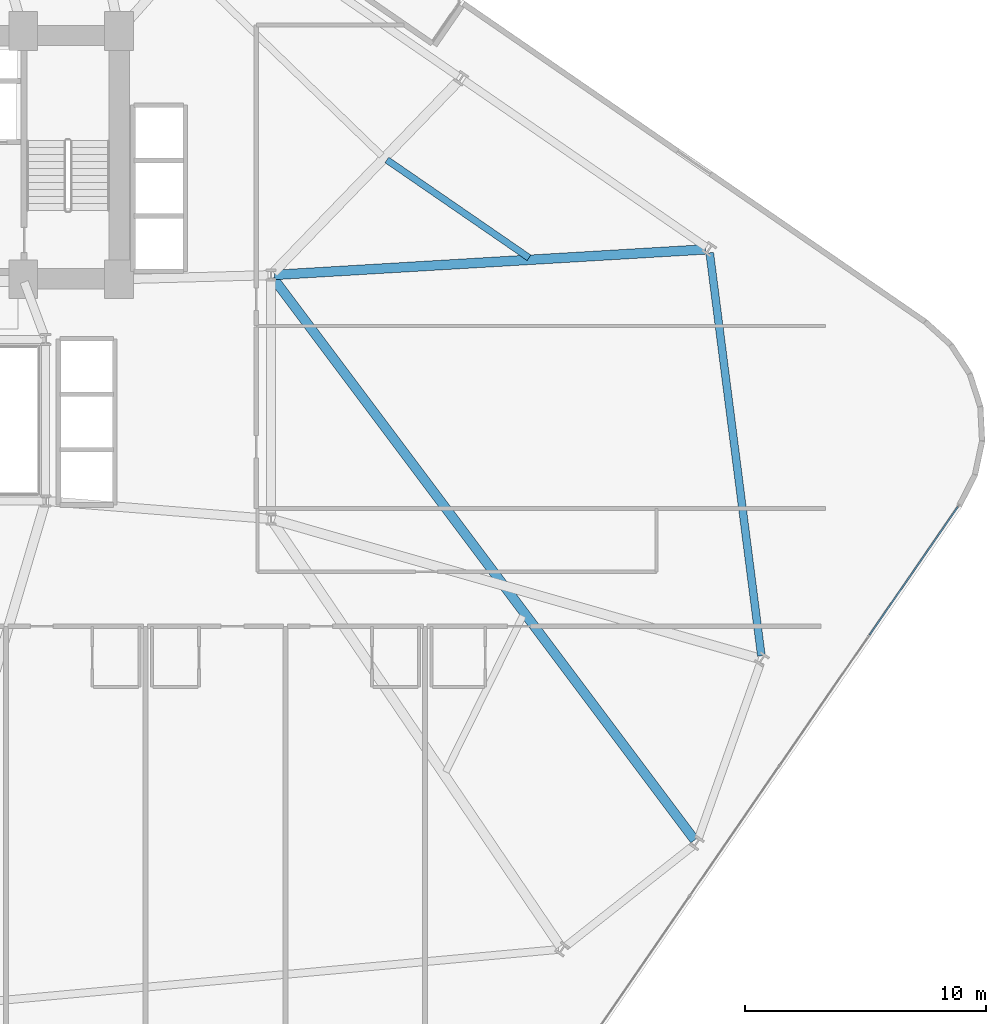
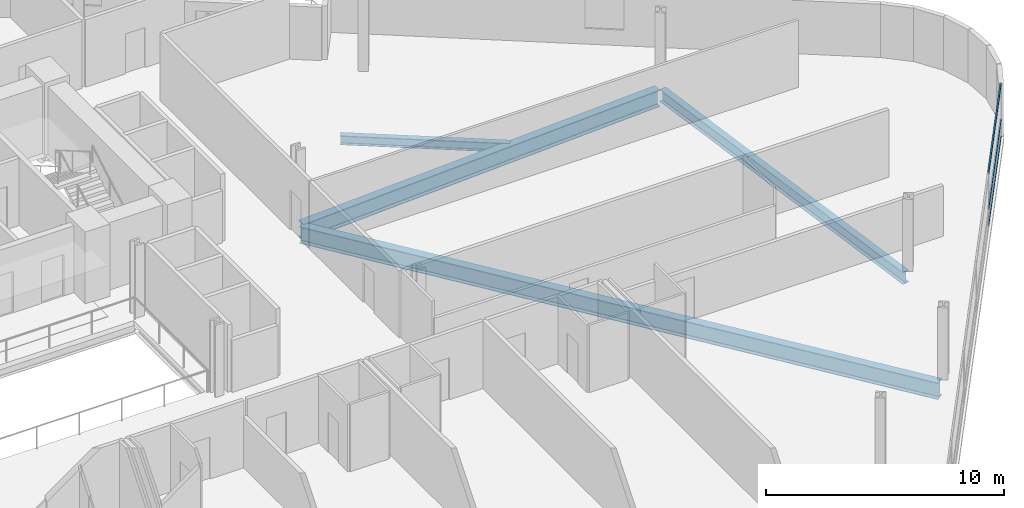
# One storey, part 12 of 27: 4 beams, 3 members, 1 element without a shape of its own.
"""IFC4 building model written with IfcOpenShell, lengths in metres."""

import ifcopenshell
import ifcopenshell.guid

model = None  # the IFC model being written
_history = None  # IfcOwnerHistory: only IFC2X3 demands one
_inside = {}  # id of a spatial element -> (the spatial element, [elements in it])
_under = {}  # id of a project, library or spatial element -> (it, [spatial elements below it])
_declared = {}  # id of a project -> (the project, [libraries it declares])
_typed = {}  # id of a type object -> (the type object, [elements of that type])
_made_of = {}  # id of a material, layer set ... -> (it, [elements and type objects made of it])


def new_model(schema):
    """Start an empty IFC model of exactly this schema.

    Asked for "IFC4X3", IfcOpenShell would pick the latest addendum, in which some entities
    have other attributes; the version numbers below select the first issue.
    IFC2X3 requires an IfcOwnerHistory on every rooted entity: one is made here for all.
    """
    global model, _history
    if schema == "IFC4X3":
        model = ifcopenshell.file(schema_version=(4, 3, 0, 0))
    else:
        model = ifcopenshell.file(schema=schema)
    _inside.clear()
    _under.clear()
    _declared.clear()
    _typed.clear()
    _made_of.clear()
    _history = None
    if model.schema == "IFC2X3":
        org = make("IfcOrganization", Name="unknown")
        user = make(
            "IfcPersonAndOrganization",
            ThePerson=make("IfcPerson", FamilyName="unknown"),
            TheOrganization=org,
        )
        app = make(
            "IfcApplication",
            ApplicationDeveloper=org,
            Version="unknown",
            ApplicationFullName="unknown",
            ApplicationIdentifier="unknown",
        )
        _history = make(
            "IfcOwnerHistory",
            OwningUser=user,
            OwningApplication=app,
            ChangeAction="ADDED",
            CreationDate=0,
        )
    return model


def make(cls, **values):
    """One entity of the class cls with the attributes given. An attribute that is None is left unset."""
    return model.create_entity(
        cls, **{name: value for name, value in values.items() if value is not None}
    )


def rooted(cls, **values):
    """An entity with a GlobalId (a new one), such as an element, a storey or a relation."""
    return make(cls, GlobalId=ifcopenshell.guid.new(), OwnerHistory=_history, **values)


def si_unit(unit_type, name, prefix=None):
    """IfcSIUnit, for example si_unit("LENGTHUNIT", "METRE", prefix="MILLI")."""
    return make("IfcSIUnit", UnitType=unit_type, Prefix=prefix, Name=name)


def assignment(units):
    """IfcUnitAssignment: the units of a project."""
    return None if units is None else make("IfcUnitAssignment", Units=units)


def point(xyz):
    """IfcCartesianPoint."""
    return None if xyz is None else make("IfcCartesianPoint", Coordinates=xyz)


def direction(xyz):
    """IfcDirection."""
    return None if xyz is None else make("IfcDirection", DirectionRatios=xyz)


def frame(location, z_axis=None, x_axis=None):
    """IfcAxis2Placement3D, a coordinate frame: its origin and axes. An axis left out is left unset."""
    return make(
        "IfcAxis2Placement3D",
        Location=point(location),
        Axis=direction(z_axis),
        RefDirection=direction(x_axis),
    )


def frame_2d(location, x_axis=None):
    """IfcAxis2Placement2D, a coordinate frame in the plane: its origin and x axis."""
    return make(
        "IfcAxis2Placement2D", Location=point(location), RefDirection=direction(x_axis)
    )


def origin():
    """The frame at (0, 0, 0) with its axes left unset."""
    return frame((0.0, 0.0, 0.0))


def origin_2d():
    """The frame at (0, 0) in the plane with its x axis left unset."""
    return frame_2d((0.0, 0.0))


def place(relative_to, where):
    """IfcLocalPlacement: puts the frame where relative to a parent placement (None: the world)."""
    return make(
        "IfcLocalPlacement", PlacementRelTo=relative_to, RelativePlacement=where
    )


def context(
    kind, dimensions, precision=None, world=None, true_north=None, identifier=None
):
    """IfcGeometricRepresentationContext, for example the 3D "Model" context."""
    return make(
        "IfcGeometricRepresentationContext",
        ContextIdentifier=identifier,
        ContextType=kind,
        CoordinateSpaceDimension=dimensions,
        Precision=precision,
        WorldCoordinateSystem=world,
        TrueNorth=true_north,
    )


def subcontext(parent, identifier, kind, view, scale=None):
    """IfcGeometricRepresentationSubContext, for example "Body" below "Model"."""
    return make(
        "IfcGeometricRepresentationSubContext",
        ContextIdentifier=identifier,
        ContextType=kind,
        ParentContext=parent,
        TargetScale=scale,
        TargetView=view,
    )


def project(units=None, contexts=None):
    """IfcProject with its units and contexts."""
    return rooted(
        "IfcProject",
        Name="project",
        RepresentationContexts=contexts,
        UnitsInContext=assignment(units),
    )


def spatial(cls, under=None, at=None, **own):
    """A site, building, storey or space (cls), placed at a placement, below another one or the project."""
    s = rooted(cls, ObjectPlacement=at, **own)
    if under is not None:
        _under.setdefault(under.id(), (under, []))[1].append(s)
    return s


def profile(cls, at=None, kind="AREA", **sizes):
    """A parametric profile (cls). Its sizes go by their IFC names, for example OverallWidth=200.0."""
    return make(cls, ProfileType=kind, Position=at, **sizes)


def hollow_rectangle(**sizes):
    """IfcRectangleHollowProfileDef."""
    return profile("IfcRectangleHollowProfileDef", **sizes)


def i_section(**sizes):
    """IfcIShapeProfileDef."""
    return profile("IfcIShapeProfileDef", **sizes)


def extrude(swept, where, along, depth):
    """IfcExtrudedAreaSolid: the profile swept, set in the frame where, extruded along a direction by depth."""
    return make(
        "IfcExtrudedAreaSolid",
        SweptArea=swept,
        Position=where,
        ExtrudedDirection=direction(along),
        Depth=depth,
    )


def shape(context_of_items, identifier, shape_type, items):
    """IfcShapeRepresentation: the items that make up one representation, for example the "Body"."""
    return make(
        "IfcShapeRepresentation",
        ContextOfItems=context_of_items,
        RepresentationIdentifier=identifier,
        RepresentationType=shape_type,
        Items=items,
    )


def material(Name=None, Category=None):
    """IfcMaterial."""
    return make("IfcMaterial", Name=Name, Category=Category)


def layer(
    of_material, thickness, ventilated=None, Name=None, Category=None, Priority=None
):
    """IfcMaterialLayer: one layer of a wall or slab, of a material (None: an air gap)."""
    return make(
        "IfcMaterialLayer",
        Material=of_material,
        LayerThickness=thickness,
        IsVentilated=ventilated,
        Name=Name,
        Category=Category,
        Priority=Priority,
    )


def layer_set(layers, Name=None):
    """IfcMaterialLayerSet."""
    return make("IfcMaterialLayerSet", MaterialLayers=layers, LayerSetName=Name)


def material_profile(
    of_material, cross_section, Name=None, Category=None, Priority=None
):
    """IfcMaterialProfile: a cross section and its material."""
    return make(
        "IfcMaterialProfile",
        Name=Name,
        Material=of_material,
        Profile=cross_section,
        Priority=Priority,
        Category=Category,
    )


def profile_set(profiles, Name=None, composite=None):
    """IfcMaterialProfileSet."""
    return make(
        "IfcMaterialProfileSet",
        Name=Name,
        MaterialProfiles=profiles,
        CompositeProfile=composite,
    )


def made_of(thing, what):
    """Note that an element or type object is made of a material, layer set ...; save() writes the relation."""
    if what is not None:
        _made_of.setdefault(what.id(), (what, []))[1].append(thing)
    return thing


def type_object(cls, material=None, **own):
    """A type object (cls), such as IfcWallType, which elements share."""
    return made_of(rooted(cls, **own), material)


def element(
    cls,
    number,
    at=None,
    inside=None,
    cuts=None,
    type_object=None,
    material=None,
    context=None,
    identifier="Body",
    shape_type=None,
    held_by="IfcProductDefinitionShape",
    body=None,
    shapes=None,
    **own,
):
    """One element of the class cls, such as IfcWall. Its Tag is "e" and its number.

    at: its placement. inside: the storey or other place that contains it. cuts: it is an
    opening in that element (IfcRelVoidsElement). A single representation is given by context,
    identifier, shape_type and body (its items); several are given by shapes. held_by: the class
    of the entity that holds the representations. save() writes the other relations.
    """
    e = rooted(cls, Tag="e%d" % number, ObjectPlacement=at, **own)
    if body is not None:
        shapes = [shape(context, identifier, shape_type, body)]
    if shapes is not None:
        e.Representation = make(held_by, Representations=shapes)
    if inside is not None:
        _inside.setdefault(inside.id(), (inside, []))[1].append(e)
    if cuts is not None:
        rooted(
            "IfcRelVoidsElement", RelatingBuildingElement=cuts, RelatedOpeningElement=e
        )
    if type_object is not None:
        _typed.setdefault(type_object.id(), (type_object, []))[1].append(e)
    return made_of(e, material)


def aggregate(whole, parts):
    """IfcRelAggregates: a whole, such as a stair, and the parts it consists of."""
    return rooted("IfcRelAggregates", RelatingObject=whole, RelatedObjects=parts)


def save(model, path):
    """Write the relations noted so far, then the file.

    IfcRelAggregates (storeys below a building ...), IfcRelContainedInSpatialStructure (elements
    in a storey), IfcRelDefinesByType, IfcRelAssociatesMaterial and IfcRelDeclares: one each for
    every whole, place, type object, material and project.
    """
    for whole, parts in _under.values():
        aggregate(whole, parts)
    for where, things in _inside.values():
        rooted(
            "IfcRelContainedInSpatialStructure",
            RelatedElements=things,
            RelatingStructure=where,
        )
    for kind, things in _typed.values():
        rooted("IfcRelDefinesByType", RelatedObjects=things, RelatingType=kind)
    for what, things in _made_of.values():
        rooted("IfcRelAssociatesMaterial", RelatedObjects=things, RelatingMaterial=what)
    for by, libraries in _declared.values():
        rooted("IfcRelDeclares", RelatingContext=by, RelatedDefinitions=libraries)
    model.write(path)


model = new_model("IFC4")

# Units and contexts
model_context = context("Model", 3, precision=1e-05, world=origin(), true_north=direction((0.0, 1.0)))
body_context = subcontext(model_context, "Body", "Model", "MODEL_VIEW")
ifc_project = project(units=[si_unit("LENGTHUNIT", "METRE"), si_unit("AREAUNIT", "SQUARE_METRE"), si_unit("VOLUMEUNIT", "CUBIC_METRE"), si_unit("PLANEANGLEUNIT", "RADIAN"), si_unit("MASSUNIT", "GRAM", prefix="KILO")], contexts=[model_context])

# Site, building, storey
site_placement = place(None, origin())
site = spatial("IfcSite", under=ifc_project, at=site_placement, CompositionType="ELEMENT")
building_placement = place(site_placement, origin())
building = spatial("IfcBuilding", under=site, at=building_placement, Name="Varnelok Gate Tower", CompositionType="ELEMENT")
storey_placement = place(building_placement, frame((0.0, 0.0, 60.300048828125)))
storey = spatial("IfcBuildingStorey", under=building, at=storey_placement, Name="L14", CompositionType="ELEMENT", Elevation=60.300048828125)

# Beams
ifc_material_1 = material(Name="Structural Steel ASTM A992 Grade 50", Category="steel")
ifc_material_profile_1 = material_profile(ifc_material_1, i_section(OverallWidth=0.280029296875, OverallDepth=0.462890625, WebThickness=0.0107421875, FlangeThickness=0.017333984375, FilletRadius=0.014892578125, at=origin_2d()), Name="W18X76")
ifc_profile_set_1 = profile_set([ifc_material_profile_1], Name="Structural Steel ASTM A992 Grade 50")
beam_type_1 = type_object("IfcBeamType", Name="BM-JST-W18X76", PredefinedType="JOIST", material=ifc_profile_set_1)
beam_1_placement = place(storey_placement, frame((64.705078125, 29.640380859375, -0.4814453125), z_axis=(-0.823532034116, 0.567269767205, 0.0), x_axis=(-0.567269767205, -0.823532034116, 0.0)))
element("IfcBeam", 1, at=beam_1_placement, inside=storey, type_object=beam_type_1, Name="L14 Sector Floor Joist 6", PredefinedType="JOIST", context=body_context, shape_type="SweptSolid", body=[
    extrude(i_section(OverallWidth=0.280029296875, OverallDepth=0.462890625, WebThickness=0.0107421875, FlangeThickness=0.017333984375, FilletRadius=0.014892578125, at=origin_2d()), origin(), (0.0, 0.0, 1.0), 7.15771484375),
])
ifc_material_profile_2 = material_profile(ifc_material_1, i_section(OverallWidth=0.39892578125, OverallDepth=0.85498046875, WebThickness=0.018310546875, FlangeThickness=0.029296875, FilletRadius=0.02392578125, at=origin_2d()), Name="W33X201")
ifc_profile_set_2 = profile_set([ifc_material_profile_2], Name="Structural Steel ASTM A992 Grade 50")
beam_type_2 = type_object("IfcBeamType", Name="BM-PRI-W33X201", PredefinedType="BEAM", material=ifc_profile_set_2)
beam_2_placement = place(storey_placement, frame((54.090087890625, 28.800048828125, -0.677490234375), z_axis=(0.600038863323, -0.799970851033, 0.0), x_axis=(0.799970851033, 0.600038863323, 0.0)))
element("IfcBeam", 2, at=beam_2_placement, inside=storey, type_object=beam_type_2, Name="L14 Radial Floor Girder 7", PredefinedType="BEAM", context=body_context, shape_type="SweptSolid", body=[
    extrude(i_section(OverallWidth=0.39892578125, OverallDepth=0.85498046875, WebThickness=0.018310546875, FlangeThickness=0.029296875, FilletRadius=0.02392578125, at=origin_2d()), origin(), (0.0, 0.0, 1.0), 29.148193359375),
])
beam_3_placement = place(storey_placement, frame((54.149658203125, 28.928955078125, -0.677490234375), z_axis=(0.998250753284, 0.059122191839, 0.0), x_axis=(-0.059122191839, 0.998250753284, 0.0)))
element("IfcBeam", 3, at=beam_3_placement, inside=storey, type_object=beam_type_2, Name="L14 Radial Floor Girder 9", PredefinedType="BEAM", context=body_context, shape_type="SweptSolid", body=[
    extrude(i_section(OverallWidth=0.39892578125, OverallDepth=0.85498046875, WebThickness=0.018310546875, FlangeThickness=0.029296875, FilletRadius=0.02392578125, at=origin_2d()), origin(), (0.0, 0.0, 1.0), 17.91748046875),
])
ifc_material_profile_3 = material_profile(ifc_material_1, i_section(OverallWidth=0.323974609375, OverallDepth=0.611083984375, WebThickness=0.0126953125, FlangeThickness=0.01904296875, FilletRadius=0.01806640625, at=origin_2d()), Name="W24X104")
ifc_profile_set_3 = profile_set([ifc_material_profile_3], Name="Structural Steel ASTM A992 Grade 50")
beam_type_3 = type_object("IfcBeamType", Name="BM-SPN-W24X104", PredefinedType="SPANDREL", material=ifc_profile_set_3)
beam_4_placement = place(storey_placement, frame((74.347900390625, 13.125, -0.5556640625), z_axis=(-0.127122673264, 0.991887002608, 0.0), x_axis=(-0.991887002608, -0.127122673264, 0.0)))
element("IfcBeam", 4, at=beam_4_placement, inside=storey, type_object=beam_type_3, Name="L14 Perimeter Spandrel Beam 8", PredefinedType="SPANDREL", context=body_context, shape_type="SweptSolid", body=[
    extrude(i_section(OverallWidth=0.323974609375, OverallDepth=0.611083984375, WebThickness=0.0126953125, FlangeThickness=0.01904296875, FilletRadius=0.01806640625, at=origin_2d()), origin(), (0.0, 0.0, 1.0), 16.860107421875),
])

# Curtain wall, members
ifc_material_2 = material(Name="Anodized Aluminum Alloy 6063-T6", Category="aluminium")
ifc_layer = layer(ifc_material_2, 0.179931640625)
ifc_layer_set = layer_set([ifc_layer], Name="Anodized Aluminum Alloy 6063-T6")
curtain_wall_type = type_object("IfcCurtainWallType", Name="CW3-HOTEL-VISION", PredefinedType="USERDEFINED", material=ifc_layer_set)
curtain_wall_placement = place(storey_placement, origin())
curtain_wall = element("IfcCurtainWall", 5, at=curtain_wall_placement, inside=storey, type_object=curtain_wall_type, Name="L14 East End Vision Curtain Wall", ObjectType="UNITISED CURTAIN WALL", PredefinedType="USERDEFINED")
ifc_material_profile_4 = material_profile(ifc_material_2, hollow_rectangle(XDim=0.06494140625, YDim=0.159912109375, WallThickness=0.00390625, at=origin_2d()), Name="ALU160X65X4")
ifc_profile_set_4 = profile_set([ifc_material_profile_4], Name="Anodized Aluminum Alloy 6063-T6")
member_type = type_object("IfcMemberType", Name="CW-TRAN-160", PredefinedType="USERDEFINED", material=ifc_profile_set_4)
member_1_placement = place(storey_placement, frame((82.505615234375, 19.3125, 0.032470703125), z_axis=(-0.567298980035, -0.823511910813, 0.0), x_axis=(0.823511910813, -0.567298980035, 0.0)))
member_1 = element("IfcMember", 6, at=member_1_placement, type_object=member_type, Name="CW3 transom 1.1", ObjectType="TRANSOM", PredefinedType="USERDEFINED", context=body_context, shape_type="SweptSolid", body=[
    extrude(hollow_rectangle(XDim=0.06494140625, YDim=0.159912109375, WallThickness=0.00390625, at=origin_2d()), origin(), (0.0, 0.0, 1.0), 6.468994140625),
])
member_2_placement = place(storey_placement, frame((82.505615234375, 19.3125, 0.89990234375), z_axis=(-0.567298980035, -0.823511910813, 0.0), x_axis=(0.823511910813, -0.567298980035, 0.0)))
member_2 = element("IfcMember", 7, at=member_2_placement, type_object=member_type, Name="CW3 transom 1.2", ObjectType="TRANSOM", PredefinedType="USERDEFINED", context=body_context, shape_type="SweptSolid", body=[
    extrude(hollow_rectangle(XDim=0.06494140625, YDim=0.159912109375, WallThickness=0.00390625, at=origin_2d()), origin(), (0.0, 0.0, 1.0), 6.468994140625),
])
member_3_placement = place(storey_placement, frame((82.505615234375, 19.3125, 2.697509765625), z_axis=(-0.567298980035, -0.823511910813, 0.0), x_axis=(0.823511910813, -0.567298980035, 0.0)))
member_3 = element("IfcMember", 8, at=member_3_placement, type_object=member_type, Name="CW3 transom 1.3", ObjectType="TRANSOM", PredefinedType="USERDEFINED", context=body_context, shape_type="SweptSolid", body=[
    extrude(hollow_rectangle(XDim=0.06494140625, YDim=0.159912109375, WallThickness=0.00390625, at=origin_2d()), origin(), (0.0, 0.0, 1.0), 6.468994140625),
])
aggregate(curtain_wall, [member_1, member_2, member_3])

save(model, "model.ifc")
